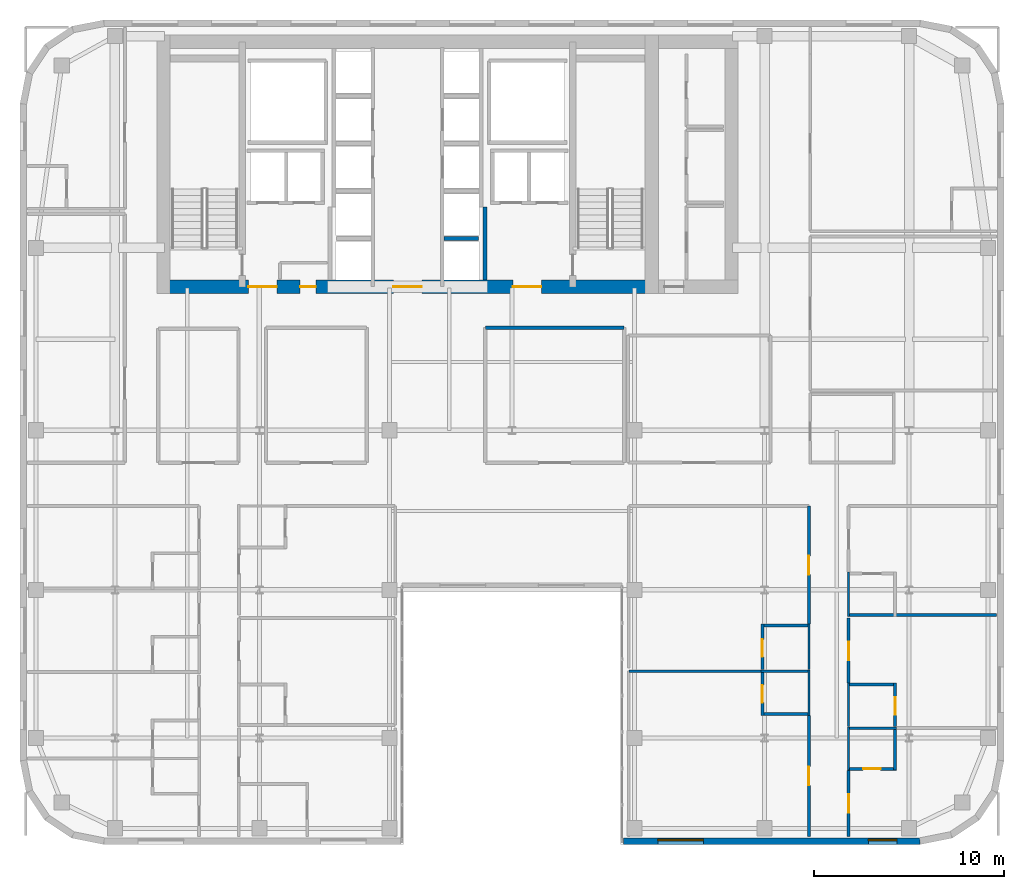
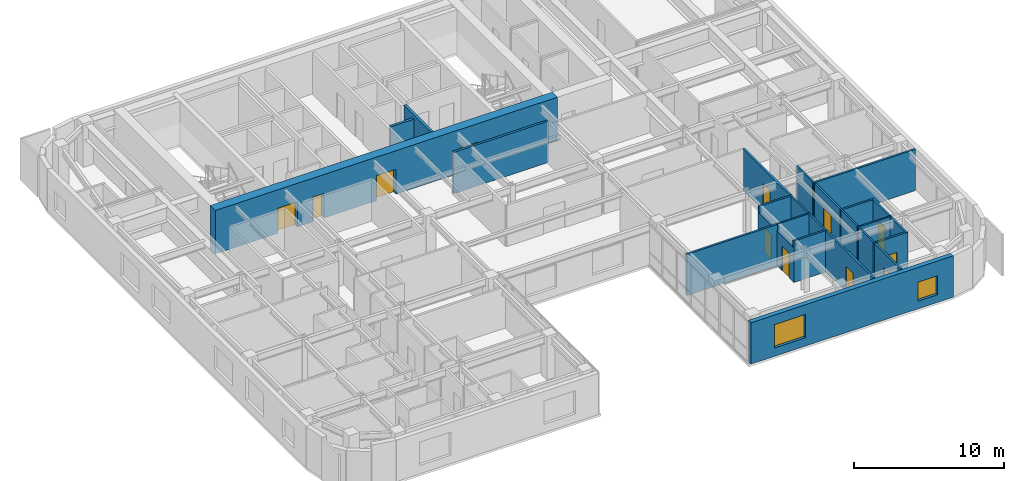
# One storey, part 9 of 14: 26 walls, 12 doors, 2 windows, 14 openings.
"""IFC4 building model written with IfcOpenShell, lengths in metres."""

from ifc_helpers import new_model, si_unit, direction, frame, frame_2d, origin, place, context, subcontext, project, spatial, rectangle, extrude, source, transform, mapped, material, layer, layer_set, type_object, type_shapes, element, fill, save


model = new_model("IFC4")

# Units and contexts
model_context = context("Model", 3, precision=1e-05, world=origin(), true_north=direction((0.0, 1.0)))
body_context = subcontext(model_context, "Body", "Model", "MODEL_VIEW")
ifc_project = project(units=[si_unit("LENGTHUNIT", "METRE"), si_unit("AREAUNIT", "SQUARE_METRE"), si_unit("VOLUMEUNIT", "CUBIC_METRE"), si_unit("PLANEANGLEUNIT", "RADIAN"), si_unit("MASSUNIT", "GRAM", prefix="KILO")], contexts=[model_context])

# Site, building, storey
site_placement = place(None, origin())
site = spatial("IfcSite", under=ifc_project, at=site_placement, CompositionType="ELEMENT")
building_placement = place(site_placement, origin())
building = spatial("IfcBuilding", under=site, at=building_placement, Name="Tolvann Quenvar Hotel", CompositionType="ELEMENT")
storey_placement = place(building_placement, frame((0.0, 0.0, 187.550048828125)))
storey = spatial("IfcBuildingStorey", under=building, at=storey_placement, Name="L49", CompositionType="ELEMENT", Elevation=187.550048828125)

# Wall, openings, doors
ifc_material_1 = material(Name="Concrete S65 (65 MPa)", Category="concrete")
ifc_layer_1 = layer(ifc_material_1, 0.699951171875)
ifc_layer_set_1 = layer_set([ifc_layer_1], Name="Concrete S65 (65 MPa)")
wall_type_1 = type_object("IfcWallType", Name="WALL_CORE_700", PredefinedType="SHEAR", material=ifc_layer_set_1)
wall_1_placement = place(storey_placement, frame((9.800048828125, 31.949951171875, 0.0), z_axis=(0.0, 0.0, 1.0), x_axis=(1.0, 0.0, 0.0)))
wall_1 = element("IfcWall", 1, at=wall_1_placement, inside=storey, type_object=wall_type_1, Name="Rear Core S Shear Wall (L49)", PredefinedType="SHEAR", context=body_context, shape_type="SweptSolid", body=[
    extrude(rectangle(XDim=26.39990234375, YDim=0.699951171875, at=frame_2d((13.199951171875, 0.0))), origin(), (0.0, 0.0, 1.0), 3.550048828125),
])
opening_1_placement = place(wall_1_placement, frame((6.320068359375, 0.0, 0.0), z_axis=(0.0, 0.0, 1.0), x_axis=(-1.0, 0.0, 0.0)))
opening_1 = element("IfcOpeningElement", 2, at=opening_1_placement, cuts=wall_1, Name="Opening FD-60D", PredefinedType="OPENING", context=body_context, shape_type="SweptSolid", body=[
    extrude(rectangle(XDim=1.5, YDim=2.0400390625, at=frame_2d((0.75, 1.02001953125))), frame((0.0, 0.35986328125, 0.0), z_axis=(0.0, -1.0, 0.0), x_axis=(1.0, 0.0, 0.0)), (0.0, 0.0, 1.0), 0.719970703125),
])
opening_2_placement = place(wall_1_placement, frame((13.949951171875, 0.0, 0.0), z_axis=(0.0, 0.0, 1.0), x_axis=(-1.0, 0.0, 0.0)))
opening_2 = element("IfcOpeningElement", 3, at=opening_2_placement, cuts=wall_1, Name="Opening FD-60D", PredefinedType="OPENING", context=body_context, shape_type="SweptSolid", body=[
    extrude(rectangle(XDim=1.5, YDim=2.0400390625, at=frame_2d((0.75, 1.02001953125))), frame((0.0, 0.35986328125, 0.0), z_axis=(0.0, -1.0, 0.0), x_axis=(1.0, 0.0, 0.0)), (0.0, 0.0, 1.0), 0.719970703125),
])
opening_3_placement = place(wall_1_placement, frame((20.25, 0.0, 0.0), z_axis=(0.0, 0.0, 1.0), x_axis=(-1.0, 0.0, 0.0)))
opening_3 = element("IfcOpeningElement", 4, at=opening_3_placement, cuts=wall_1, Name="Opening FD-60D", PredefinedType="OPENING", context=body_context, shape_type="SweptSolid", body=[
    extrude(rectangle(XDim=1.5, YDim=2.0400390625, at=frame_2d((0.75, 1.02001953125))), frame((0.0, 0.35986328125, 0.0), z_axis=(0.0, -1.0, 0.0), x_axis=(1.0, 0.0, 0.0)), (0.0, 0.0, 1.0), 0.719970703125),
])
opening_4_placement = place(wall_1_placement, frame((8.3701171875, 0.0, 0.0), z_axis=(0.0, 0.0, 1.0), x_axis=(-1.0, 0.0, 0.0)))
opening_4 = element("IfcOpeningElement", 5, at=opening_4_placement, cuts=wall_1, Name="Opening HD-02", PredefinedType="OPENING", context=body_context, shape_type="SweptSolid", body=[
    extrude(rectangle(XDim=0.820068359375, YDim=2.010009765625, at=frame_2d((0.41015625, 1.0048828125))), frame((0.0, 0.35986328125, 0.0), z_axis=(0.0, -1.0, 0.0), x_axis=(1.0, 0.0, 0.0)), (0.0, 0.0, 1.0), 0.719970703125),
])
ifc_material_2 = material(Name="Solid-core American oak acoustic fire door leaf in steel frame", Category="steel")
door_type_1 = type_object("IfcDoorType", Name="DOOR_FIRE_LOBBY_1500", OperationType="NOTDEFINED", PredefinedType="DOOR", material=ifc_material_2)
shared_shape_1 = source(origin(), body_context, "Body", "SweptSolid", [
    extrude(rectangle(XDim=1.5, YDim=2.0400390625, at=frame_2d((0.75, 1.02001953125))), frame((0.0, 0.02490234375, 0.0), z_axis=(0.0, -1.0, 0.0), x_axis=(1.0, 0.0, 0.0)), (0.0, 0.0, 1.0), 0.050048828125),
])
type_shapes(door_type_1, [shared_shape_1])
door_1_placement = place(opening_1_placement, origin())
door_1 = element("IfcDoor", 6, at=door_1_placement, inside=storey, type_object=door_type_1, Name="Core Lobby Fire Door FFW (L49)", OperationType="DOUBLE_DOOR_SINGLE_SWING", OverallHeight=2.0400390625, OverallWidth=1.5, PredefinedType="DOOR", context=body_context, shape_type="MappedRepresentation", body=[
    mapped(shared_shape_1, transform((0.0, 0.0, 0.0), x_axis=(1.0, 0.0, 0.0), y_axis=(0.0, 1.0, 0.0), z_axis=(0.0, 0.0, 1.0), scale=1.0)),
])
fill(opening_1, door_1)
door_2_placement = place(opening_2_placement, origin())
door_2 = element("IfcDoor", 7, at=door_2_placement, inside=storey, type_object=door_type_1, Name="Core Lobby Fire Door CLOB (L49)", OperationType="DOUBLE_DOOR_SINGLE_SWING", OverallHeight=2.0400390625, OverallWidth=1.5, PredefinedType="DOOR", context=body_context, shape_type="MappedRepresentation", body=[
    mapped(shared_shape_1, transform((0.0, 0.0, 0.0), x_axis=(1.0, 0.0, 0.0), y_axis=(0.0, 1.0, 0.0), z_axis=(0.0, 0.0, 1.0), scale=1.0)),
])
fill(opening_2, door_2)
door_3_placement = place(opening_3_placement, origin())
door_3 = element("IfcDoor", 8, at=door_3_placement, inside=storey, type_object=door_type_1, Name="Core Lobby Fire Door FFE (L49)", OperationType="DOUBLE_DOOR_SINGLE_SWING", OverallHeight=2.0400390625, OverallWidth=1.5, PredefinedType="DOOR", context=body_context, shape_type="MappedRepresentation", body=[
    mapped(shared_shape_1, transform((0.0, 0.0, 0.0), x_axis=(1.0, 0.0, 0.0), y_axis=(0.0, 1.0, 0.0), z_axis=(0.0, 0.0, 1.0), scale=1.0)),
])
fill(opening_3, door_3)
ifc_material_3 = material(Name="Pressed galvanised steel fire-rated door set", Category="steel")
door_type_2 = type_object("IfcDoorType", Name="DOOR_STORE_820", OperationType="NOTDEFINED", PredefinedType="DOOR", material=ifc_material_3)
shared_shape_2 = source(origin(), body_context, "Body", "SweptSolid", [
    extrude(rectangle(XDim=0.820068359375, YDim=2.010009765625, at=frame_2d((0.41015625, 1.0048828125))), frame((0.0, 0.02490234375, 0.0), z_axis=(0.0, -1.0, 0.0), x_axis=(1.0, 0.0, 0.0)), (0.0, 0.0, 1.0), 0.050048828125),
])
type_shapes(door_type_2, [shared_shape_2])
door_4_placement = place(opening_4_placement, origin())
door_4 = element("IfcDoor", 9, at=door_4_placement, inside=storey, type_object=door_type_2, Name="Core Linen Store Fire Door (L49)", OperationType="SINGLE_SWING_RIGHT", OverallHeight=2.010009765625, OverallWidth=0.820068359375, PredefinedType="DOOR", context=body_context, shape_type="MappedRepresentation", body=[
    mapped(shared_shape_2, transform((0.0, 0.0, 0.0), x_axis=(1.0, 0.0, 0.0), y_axis=(0.0, 1.0, 0.0), z_axis=(0.0, 0.0, 1.0), scale=1.0)),
])
fill(opening_4, door_4)

# Wall, openings, windows
ifc_material_4 = material(Name="Kiln-fired red and buff architectural clay brickwork and terracotta masonry", Category="masonry")
ifc_layer_2 = layer(ifc_material_4, 0.35009765625)
ifc_layer_set_2 = layer_set([ifc_layer_2], Name="Kiln-fired red and buff architectural clay brickwork and terracotta masonry")
wall_type_2 = type_object("IfcWallType", Name="WALL_EXT_BRICK_350", PredefinedType="SOLIDWALL", material=ifc_layer_set_2)
wall_2_placement = place(storey_placement, frame((34.375, 2.77490234375, 0.0), z_axis=(0.0, 0.0, 1.0), x_axis=(1.0, 0.0, 0.0)))
wall_2 = element("IfcWall", 10, at=wall_2_placement, inside=storey, type_object=wall_type_2, Name="Exterior Chicago Brick Wall L49-E08", PredefinedType="SOLIDWALL", context=body_context, shape_type="SweptSolid", body=[
    extrude(rectangle(XDim=15.60791015625, YDim=0.35009765625, at=frame_2d((7.803955078125, 0.0))), origin(), (0.0, 0.0, 1.0), 3.369873046875),
])
opening_5_placement = place(wall_2_placement, frame((1.801025390625, 0.0, 0.679931640625)))
opening_5 = element("IfcOpeningElement", 11, at=opening_5_placement, cuts=wall_2, Name="Opening W-01", PredefinedType="OPENING", context=body_context, shape_type="SweptSolid", body=[
    extrude(rectangle(XDim=2.39990234375, YDim=1.89990234375, at=frame_2d((1.199951171875, 0.949951171875))), frame((0.0, 0.18505859375, 0.0), z_axis=(0.0, -1.0, 0.0), x_axis=(1.0, 0.0, 0.0)), (0.0, 0.0, 1.0), 0.3701171875),
])
opening_6_placement = place(wall_2_placement, frame((12.89111328125, 0.0, 0.6201171875)))
opening_6 = element("IfcOpeningElement", 12, at=opening_6_placement, cuts=wall_2, Name="Opening W-08", PredefinedType="OPENING", context=body_context, shape_type="SweptSolid", body=[
    extrude(rectangle(XDim=1.5, YDim=1.550048828125, at=frame_2d((0.75, 0.77490234375))), frame((0.0, 0.18505859375, 0.0), z_axis=(0.0, -1.0, 0.0), x_axis=(1.0, 0.0, 0.0)), (0.0, 0.0, 1.0), 0.3701171875),
])
ifc_material_5 = material(Name="Thermally broken bronze-anodised aluminium frame with double low-E glazing", Category="aluminium")
window_type_1 = type_object("IfcWindowType", Name="WIN_COR_1500x2050", PartitioningType="SINGLE_PANEL", PredefinedType="WINDOW", material=ifc_material_5)
shared_shape_3 = source(origin(), body_context, "Body", "SweptSolid", [
    extrude(rectangle(XDim=1.5, YDim=1.550048828125, at=frame_2d((0.75, 0.77490234375))), frame((0.0, 0.090087890625, 0.0), z_axis=(0.0, -1.0, 0.0), x_axis=(1.0, 0.0, 0.0)), (0.0, 0.0, 1.0), 0.06005859375),
])
type_shapes(window_type_1, [shared_shape_3])
window_1_placement = place(opening_6_placement, origin())
window_1 = element("IfcWindow", 13, at=window_1_placement, inside=storey, type_object=window_type_1, Name="Chicago Window W-08 (EW-L49-E08-WD02)", OverallHeight=1.550048828125, OverallWidth=1.5, PartitioningType="SINGLE_PANEL", PredefinedType="WINDOW", context=body_context, shape_type="MappedRepresentation", body=[
    mapped(shared_shape_3, transform((0.0, 0.0, 0.0), x_axis=(1.0, 0.0, 0.0), y_axis=(0.0, 1.0, 0.0), z_axis=(0.0, 0.0, 1.0), scale=1.0)),
])
fill(opening_6, window_1)
window_type_2 = type_object("IfcWindowType", Name="WIN_CHI_2400x2050", PartitioningType="TRIPLE_PANEL_HORIZONTAL", PredefinedType="WINDOW", material=ifc_material_5)
shared_shape_4 = source(origin(), body_context, "Body", "SweptSolid", [
    extrude(rectangle(XDim=2.39990234375, YDim=1.89990234375, at=frame_2d((1.199951171875, 0.949951171875))), frame((0.0, 0.090087890625, 0.0), z_axis=(0.0, -1.0, 0.0), x_axis=(1.0, 0.0, 0.0)), (0.0, 0.0, 1.0), 0.06005859375),
])
type_shapes(window_type_2, [shared_shape_4])
window_2_placement = place(opening_5_placement, origin())
window_2 = element("IfcWindow", 14, at=window_2_placement, inside=storey, type_object=window_type_2, Name="Chicago Window W-01 (EW-L49-E08-W01)", OverallHeight=1.89990234375, OverallWidth=2.39990234375, PartitioningType="TRIPLE_PANEL_HORIZONTAL", PredefinedType="WINDOW", context=body_context, shape_type="MappedRepresentation", body=[
    mapped(shared_shape_4, transform((0.0, 0.0, 0.0), x_axis=(1.0, 0.0, 0.0), y_axis=(0.0, 1.0, 0.0), z_axis=(0.0, 0.0, 1.0), scale=1.0)),
])
fill(opening_5, window_2)

# Walls
ifc_material_6 = material(Name="Acoustic twin-stud fire-rated gypsum plasterboard partition")
ifc_layer_3 = layer(ifc_material_6, 0.179931640625)
ifc_layer_set_3 = layer_set([ifc_layer_3], Name="Acoustic twin-stud fire-rated gypsum plasterboard partition")
wall_type_3 = type_object("IfcWallType", Name="WALL_PART_ACOUSTIC_180", PredefinedType="PARTITIONING", material=ifc_layer_set_3)
wall_3_placement = place(storey_placement, frame((27.10009765625, 29.800048828125, 0.0), z_axis=(0.0, 0.0, 1.0), x_axis=(1.0, 0.0, 0.0)))
element("IfcWall", 15, at=wall_3_placement, inside=storey, type_object=wall_type_3, Name="Interior Partition PT-SPC-L49-MSP-C-N", PredefinedType="PARTITIONING", context=body_context, shape_type="SweptSolid", body=[
    extrude(rectangle(XDim=7.2998046875, YDim=0.179931640625, at=frame_2d((3.64990234375, 0.0))), origin(), (0.0, 0.0, 1.0), 3.369873046875),
])
ifc_material_7 = material(Name="Moisture-resistant acoustic plumbing wall assembly")
ifc_layer_4 = layer(ifc_material_7, 0.1201171875)
ifc_layer_set_4 = layer_set([ifc_layer_4], Name="Moisture-resistant acoustic plumbing wall assembly")
wall_type_4 = type_object("IfcWallType", Name="WALL_PART_BATH_120", PredefinedType="PLUMBINGWALL", material=ifc_layer_set_4)
wall_4_placement = place(storey_placement, frame((41.610107421875, 11.719970703125, 0.0), z_axis=(0.0, 0.0, 1.0), x_axis=(1.0, 0.0, 0.0)))
element("IfcWall", 16, at=wall_4_placement, inside=storey, type_object=wall_type_4, Name="Non-Rated Plumbing Partition PT-SPC-L49-ENS-EI01-N", PredefinedType="PLUMBINGWALL", context=body_context, shape_type="SweptSolid", body=[
    extrude(rectangle(XDim=2.58984375, YDim=0.1201171875, at=frame_2d((1.294921875, 0.0))), origin(), (0.0, 0.0, 1.0), 3.369873046875),
])
wall_5_placement = place(storey_placement, frame((44.1298828125, 9.39990234375, 0.0), z_axis=(0.0, 0.0, 1.0), x_axis=(0.0, 1.0, 0.0)))
element("IfcWall", 17, at=wall_5_placement, inside=storey, type_object=wall_type_4, Name="Non-Rated Plumbing Partition PT-SPC-L49-ENS-EI01-E", PredefinedType="PLUMBINGWALL", context=body_context, shape_type="SweptSolid", body=[
    extrude(rectangle(XDim=2.39013671875, YDim=0.1201171875, at=frame_2d((1.195068359375, 0.0))), origin(), (0.0, 0.0, 1.0), 3.369873046875),
])
wall_6_placement = place(storey_placement, frame((44.1298828125, 11.81005859375, 0.0), z_axis=(0.0, 0.0, 1.0), x_axis=(0.0, 1.0, 0.0)))
element("IfcWall", 18, at=wall_6_placement, inside=storey, type_object=wall_type_4, Name="Non-Rated Plumbing Partition PT-SPC-L49-ENS-EI02-E", PredefinedType="PLUMBINGWALL", context=body_context, shape_type="SweptSolid", body=[
    extrude(rectangle(XDim=2.389892578125, YDim=0.1201171875, at=frame_2d((1.19482421875, 0.0))), origin(), (0.0, 0.0, 1.0), 3.369873046875),
])
wall_7_placement = place(storey_placement, frame((46.14990234375, 8.719970703125, 0.0), z_axis=(0.0, 0.0, 1.0), x_axis=(1.0, 0.0, 0.0)))
element("IfcWall", 19, at=wall_7_placement, inside=storey, type_object=wall_type_4, Name="Non-Rated Plumbing Partition PT-SPC-L49-ENS-EO01-N", PredefinedType="PLUMBINGWALL", context=body_context, shape_type="SweptSolid", body=[
    extrude(rectangle(XDim=2.590087890625, YDim=0.1201171875, at=frame_2d((1.294921875, 0.0))), origin(), (0.0, 0.0, 1.0), 3.369873046875),
])
for number, where, z_axis, x_axis, name in (
    (20, (46.219970703125, 6.507080078125, 0.0), (0.0, 0.0, 1.0), (0.0, 1.0, 0.0), "Non-Rated Plumbing Partition PT-SPC-L49-ENS-EO01-W"),
    (21, (46.219970703125, 8.81005859375, 0.0), (0.0, 0.0, 1.0), (0.0, 1.0, 0.0), "Non-Rated Plumbing Partition PT-SPC-L49-ENS-EO02-W"),
):
    element("IfcWall", number, at=place(storey_placement, frame(where, z_axis=z_axis, x_axis=x_axis)), inside=storey, type_object=wall_type_4, Name=name, PredefinedType="PLUMBINGWALL", context=body_context, shape_type="SweptSolid", body=[
        extrude(rectangle(XDim=2.282958984375, YDim=0.1201171875, at=frame_2d((1.1416015625, 0.0))), origin(), (0.0, 0.0, 1.0), 3.369873046875),
    ])
wall_8_placement = place(storey_placement, frame((46.219970703125, 14.610107421875, 0.0), z_axis=(0.0, 0.0, 1.0), x_axis=(0.0, 1.0, 0.0)))
element("IfcWall", 22, at=wall_8_placement, inside=storey, type_object=wall_type_4, Name="Non-Rated Plumbing Partition PT-SPC-L49-ENS-EO03-W", PredefinedType="PLUMBINGWALL", context=body_context, shape_type="SweptSolid", body=[
    extrude(rectangle(XDim=2.32080078125, YDim=0.1201171875, at=frame_2d((1.160400390625, 0.0))), origin(), (0.0, 0.0, 1.0), 3.369873046875),
])

# Wall, opening, door
ifc_layer_5 = layer(ifc_material_6, 0.14990234375)
ifc_layer_set_5 = layer_set([ifc_layer_5], Name="Acoustic twin-stud fire-rated gypsum plasterboard partition")
wall_type_5 = type_object("IfcWallType", Name="WALL_PART_SUITE_150", PredefinedType="PARTITIONING", material=ifc_layer_set_5)
wall_9_placement = place(storey_placement, frame((41.679931640625, 9.39990234375, 0.0), z_axis=(0.0, 0.0, 1.0), x_axis=(0.0, 1.0, 0.0)))
wall_9 = element("IfcWall", 23, at=wall_9_placement, inside=storey, type_object=wall_type_5, Name="Interior Partition PT-SPC-L49-ENS-EI01-ENT", PredefinedType="PARTITIONING", context=body_context, shape_type="SweptSolid", body=[
    extrude(rectangle(XDim=2.39013671875, YDim=0.14990234375, at=frame_2d((1.195068359375, 0.0))), origin(), (0.0, 0.0, 1.0), 2.826904296875),
])
opening_7_placement = place(wall_9_placement, frame((0.6650390625, 0.0, 0.0)))
opening_7 = element("IfcOpeningElement", 24, at=opening_7_placement, cuts=wall_9, Name="Opening WD-01", PredefinedType="OPENING", context=body_context, shape_type="SweptSolid", body=[
    extrude(rectangle(XDim=0.919921875, YDim=2.010009765625, at=frame_2d((0.4599609375, 1.0048828125))), frame((0.0, 0.0849609375, 0.0), z_axis=(0.0, -1.0, 0.0), x_axis=(1.0, 0.0, 0.0)), (0.0, 0.0, 1.0), 0.169921875),
])
door_type_3 = type_object("IfcDoorType", Name="DOOR_WC_920", OperationType="NOTDEFINED", PredefinedType="DOOR", material=ifc_material_2)
shared_shape_5 = source(origin(), body_context, "Body", "SweptSolid", [
    extrude(rectangle(XDim=0.919921875, YDim=2.010009765625, at=frame_2d((0.4599609375, 1.0048828125))), frame((0.0, 0.02490234375, 0.0), z_axis=(0.0, -1.0, 0.0), x_axis=(1.0, 0.0, 0.0)), (0.0, 0.0, 1.0), 0.050048828125),
])
type_shapes(door_type_3, [shared_shape_5])
door_5_placement = place(opening_7_placement, origin())
door_5 = element("IfcDoor", 25, at=door_5_placement, inside=storey, type_object=door_type_3, Name="Interior Door DOOR-SPC-L49-ENS-EI01", OperationType="SINGLE_SWING_RIGHT", OverallHeight=2.010009765625, OverallWidth=0.919921875, PredefinedType="DOOR", context=body_context, shape_type="MappedRepresentation", body=[
    mapped(shared_shape_5, transform((0.0, 0.0, 0.0), x_axis=(1.0, 0.0, 0.0), y_axis=(0.0, 1.0, 0.0), z_axis=(0.0, 0.0, 1.0), scale=1.0)),
])
fill(opening_7, door_5)

# Wall
wall_10_placement = place(storey_placement, frame((41.610107421875, 9.469970703125, 0.0), z_axis=(0.0, 0.0, 1.0), x_axis=(1.0, 0.0, 0.0)))
element("IfcWall", 26, at=wall_10_placement, inside=storey, type_object=wall_type_5, Name="Interior Partition PT-SPC-L49-ENS-EI01-S", PredefinedType="PARTITIONING", context=body_context, shape_type="SweptSolid", body=[
    extrude(rectangle(XDim=2.58984375, YDim=0.14990234375, at=frame_2d((1.294921875, 0.0))), origin(), (0.0, 0.0, 1.0), 3.369873046875),
])

# Wall, opening, door
wall_11_placement = place(storey_placement, frame((41.679931640625, 11.81005859375, 0.0), z_axis=(0.0, 0.0, 1.0), x_axis=(0.0, 1.0, 0.0)))
wall_11 = element("IfcWall", 27, at=wall_11_placement, inside=storey, type_object=wall_type_5, Name="Interior Partition PT-SPC-L49-ENS-EI02-ENT", PredefinedType="PARTITIONING", context=body_context, shape_type="SweptSolid", body=[
    extrude(rectangle(XDim=2.389892578125, YDim=0.14990234375, at=frame_2d((1.19482421875, 0.0))), origin(), (0.0, 0.0, 1.0), 2.826904296875),
])
opening_8_placement = place(wall_11_placement, frame((0.6650390625, 0.0, 0.0)))
opening_8 = element("IfcOpeningElement", 28, at=opening_8_placement, cuts=wall_11, Name="Opening WD-01", PredefinedType="OPENING", context=body_context, shape_type="SweptSolid", body=[
    extrude(rectangle(XDim=0.919921875, YDim=2.010009765625, at=frame_2d((0.4599609375, 1.0048828125))), frame((0.0, 0.0849609375, 0.0), z_axis=(0.0, -1.0, 0.0), x_axis=(1.0, 0.0, 0.0)), (0.0, 0.0, 1.0), 0.169921875),
])
door_6_placement = place(opening_8_placement, origin())
door_6 = element("IfcDoor", 29, at=door_6_placement, inside=storey, type_object=door_type_3, Name="Interior Door DOOR-SPC-L49-ENS-EI02", OperationType="SINGLE_SWING_LEFT", OverallHeight=2.010009765625, OverallWidth=0.919921875, PredefinedType="DOOR", context=body_context, shape_type="MappedRepresentation", body=[
    mapped(shared_shape_5, transform((0.0, 0.0, 0.0), x_axis=(1.0, 0.0, 0.0), y_axis=(0.0, 1.0, 0.0), z_axis=(0.0, 0.0, 1.0), scale=1.0)),
])
fill(opening_8, door_6)

# Walls
wall_12_placement = place(storey_placement, frame((41.610107421875, 14.1298828125, 0.0), z_axis=(0.0, 0.0, 1.0), x_axis=(1.0, 0.0, 0.0)))
element("IfcWall", 30, at=wall_12_placement, inside=storey, type_object=wall_type_5, Name="Interior Partition PT-SPC-L49-ENS-EI02-N", PredefinedType="PARTITIONING", context=body_context, shape_type="SweptSolid", body=[
    extrude(rectangle(XDim=2.58984375, YDim=0.14990234375, at=frame_2d((1.294921875, 0.0))), origin(), (0.0, 0.0, 1.0), 3.369873046875),
])
wall_13_placement = place(storey_placement, frame((48.669921875, 6.507080078125, 0.0), z_axis=(0.0, 0.0, 1.0), x_axis=(0.0, 1.0, 0.0)))
element("IfcWall", 31, at=wall_13_placement, inside=storey, type_object=wall_type_5, Name="Interior Partition PT-SPC-L49-ENS-EO01-ENT", PredefinedType="PARTITIONING", context=body_context, shape_type="SweptSolid", body=[
    extrude(rectangle(XDim=2.282958984375, YDim=0.14990234375, at=frame_2d((1.1416015625, 0.0))), origin(), (0.0, 0.0, 1.0), 3.369873046875),
])

# Wall, opening, door
wall_14_placement = place(storey_placement, frame((46.14990234375, 6.576904296875, 0.0), z_axis=(0.0, 0.0, 1.0), x_axis=(1.0, 0.0, 0.0)))
wall_14 = element("IfcWall", 32, at=wall_14_placement, inside=storey, type_object=wall_type_5, Name="Interior Partition PT-SPC-L49-ENS-EO01-S", PredefinedType="PARTITIONING", context=body_context, shape_type="SweptSolid", body=[
    extrude(rectangle(XDim=2.590087890625, YDim=0.14990234375, at=frame_2d((1.294921875, 0.0))), origin(), (0.0, 0.0, 1.0), 3.369873046875),
])
opening_9_placement = place(wall_14_placement, frame((0.8349609375, 0.0, 0.0)))
opening_9 = element("IfcOpeningElement", 33, at=opening_9_placement, cuts=wall_14, Name="Opening WD-01", PredefinedType="OPENING", context=body_context, shape_type="SweptSolid", body=[
    extrude(rectangle(XDim=0.919921875, YDim=2.010009765625, at=frame_2d((0.4599609375, 1.0048828125))), frame((0.0, 0.0849609375, 0.0), z_axis=(0.0, -1.0, 0.0), x_axis=(1.0, 0.0, 0.0)), (0.0, 0.0, 1.0), 0.169921875),
])
door_7_placement = place(opening_9_placement, origin())
door_7 = element("IfcDoor", 34, at=door_7_placement, inside=storey, type_object=door_type_3, Name="Interior Door DOOR-SPC-L49-ENS-EO01", OperationType="SINGLE_SWING_RIGHT", OverallHeight=2.010009765625, OverallWidth=0.919921875, PredefinedType="DOOR", context=body_context, shape_type="MappedRepresentation", body=[
    mapped(shared_shape_5, transform((0.0, 0.0, 0.0), x_axis=(1.0, 0.0, 0.0), y_axis=(0.0, 1.0, 0.0), z_axis=(0.0, 0.0, 1.0), scale=1.0)),
])
fill(opening_9, door_7)

wall_15_placement = place(storey_placement, frame((48.669921875, 8.81005859375, 0.0), z_axis=(0.0, 0.0, 1.0), x_axis=(0.0, 1.0, 0.0)))
wall_15 = element("IfcWall", 35, at=wall_15_placement, inside=storey, type_object=wall_type_5, Name="Interior Partition PT-SPC-L49-ENS-EO02-ENT", PredefinedType="PARTITIONING", context=body_context, shape_type="SweptSolid", body=[
    extrude(rectangle(XDim=2.282958984375, YDim=0.14990234375, at=frame_2d((1.1416015625, 0.0))), origin(), (0.0, 0.0, 1.0), 3.369873046875),
])
opening_10_placement = place(wall_15_placement, frame((0.611572265625, 0.0, 0.0)))
opening_10 = element("IfcOpeningElement", 36, at=opening_10_placement, cuts=wall_15, Name="Opening WD-01", PredefinedType="OPENING", context=body_context, shape_type="SweptSolid", body=[
    extrude(rectangle(XDim=0.919921875, YDim=2.010009765625, at=frame_2d((0.4599609375, 1.0048828125))), frame((0.0, 0.0849609375, 0.0), z_axis=(0.0, -1.0, 0.0), x_axis=(1.0, 0.0, 0.0)), (0.0, 0.0, 1.0), 0.169921875),
])
door_8_placement = place(opening_10_placement, origin())
door_8 = element("IfcDoor", 37, at=door_8_placement, inside=storey, type_object=door_type_3, Name="Interior Door DOOR-SPC-L49-ENS-EO02", OperationType="SINGLE_SWING_LEFT", OverallHeight=2.010009765625, OverallWidth=0.919921875, PredefinedType="DOOR", context=body_context, shape_type="MappedRepresentation", body=[
    mapped(shared_shape_5, transform((0.0, 0.0, 0.0), x_axis=(1.0, 0.0, 0.0), y_axis=(0.0, 1.0, 0.0), z_axis=(0.0, 0.0, 1.0), scale=1.0)),
])
fill(opening_10, door_8)

# Walls
wall_16_placement = place(storey_placement, frame((46.14990234375, 11.02294921875, 0.0), z_axis=(0.0, 0.0, 1.0), x_axis=(1.0, 0.0, 0.0)))
element("IfcWall", 38, at=wall_16_placement, inside=storey, type_object=wall_type_5, Name="Interior Partition PT-SPC-L49-ENS-EO02-N", PredefinedType="PARTITIONING", context=body_context, shape_type="SweptSolid", body=[
    extrude(rectangle(XDim=2.590087890625, YDim=0.14990234375, at=frame_2d((1.294921875, 0.0))), origin(), (0.0, 0.0, 1.0), 3.369873046875),
])
wall_17_placement = place(storey_placement, frame((46.14990234375, 14.679931640625, 0.0), z_axis=(0.0, 0.0, 1.0), x_axis=(1.0, 0.0, 0.0)))
element("IfcWall", 39, at=wall_17_placement, inside=storey, type_object=wall_type_5, Name="Interior Partition PT-SPC-L49-ENS-EO03-S", PredefinedType="PARTITIONING", context=body_context, shape_type="SweptSolid", body=[
    extrude(rectangle(XDim=7.84521484375, YDim=0.14990234375, at=frame_2d((3.922607421875, 0.0))), origin(), (0.0, 0.0, 1.0), 3.369873046875),
])

# Wall, opening, door
wall_18_placement = place(storey_placement, frame((44.1298828125, 3.0048828125, 0.0), z_axis=(0.0, 0.0, 1.0), x_axis=(0.0, 1.0, 0.0)))
wall_18 = element("IfcWall", 40, at=wall_18_placement, inside=storey, type_object=wall_type_5, Name="Interior Partition PT-SPC-L49-RM-EI01-ENT", PredefinedType="PARTITIONING", context=body_context, shape_type="SweptSolid", body=[
    extrude(rectangle(XDim=6.385009765625, YDim=0.14990234375, at=frame_2d((3.1923828125, 0.0))), origin(), (0.0, 0.0, 1.0), 3.369873046875),
])
opening_11_placement = place(wall_18_placement, frame((2.7099609375, 0.0, 0.0)))
opening_11 = element("IfcOpeningElement", 41, at=opening_11_placement, cuts=wall_18, Name="Opening SD-01", PredefinedType="OPENING", context=body_context, shape_type="SweptSolid", body=[
    extrude(rectangle(XDim=0.97998046875, YDim=2.1201171875, at=frame_2d((0.489990234375, 1.06005859375))), frame((0.0, 0.0849609375, 0.0), z_axis=(0.0, -1.0, 0.0), x_axis=(1.0, 0.0, 0.0)), (0.0, 0.0, 1.0), 0.169921875),
])
door_type_4 = type_object("IfcDoorType", Name="DOOR_SUITE_980", OperationType="NOTDEFINED", PredefinedType="DOOR", material=ifc_material_2)
shared_shape_6 = source(origin(), body_context, "Body", "SweptSolid", [
    extrude(rectangle(XDim=0.97998046875, YDim=2.1201171875, at=frame_2d((0.489990234375, 1.06005859375))), frame((0.0, 0.02490234375, 0.0), z_axis=(0.0, -1.0, 0.0), x_axis=(1.0, 0.0, 0.0)), (0.0, 0.0, 1.0), 0.050048828125),
])
type_shapes(door_type_4, [shared_shape_6])
door_9_placement = place(opening_11_placement, origin())
door_9 = element("IfcDoor", 42, at=door_9_placement, inside=storey, type_object=door_type_4, Name="Interior Door DOOR-SPC-L49-RM-EI01", OperationType="SINGLE_SWING_LEFT", OverallHeight=2.1201171875, OverallWidth=0.97998046875, PredefinedType="DOOR", context=body_context, shape_type="MappedRepresentation", body=[
    mapped(shared_shape_6, transform((0.0, 0.0, 0.0), x_axis=(1.0, 0.0, 0.0), y_axis=(0.0, 1.0, 0.0), z_axis=(0.0, 0.0, 1.0), scale=1.0)),
])
fill(opening_11, door_9)

# Wall
wall_19_placement = place(storey_placement, frame((34.64990234375, 11.719970703125, 0.0), z_axis=(0.0, 0.0, 1.0), x_axis=(1.0, 0.0, 0.0)))
element("IfcWall", 43, at=wall_19_placement, inside=storey, type_object=wall_type_5, Name="Interior Partition PT-SPC-L49-RM-EI01-E5", PredefinedType="PARTITIONING", context=body_context, shape_type="SweptSolid", body=[
    extrude(rectangle(XDim=7.010009765625, YDim=0.14990234375, at=frame_2d((3.5048828125, 0.0))), origin(), (0.0, 0.0, 1.0), 3.369873046875),
])

# Wall, opening, door
wall_20_placement = place(storey_placement, frame((44.1298828125, 14.2099609375, 0.0), z_axis=(0.0, 0.0, 1.0), x_axis=(0.0, 1.0, 0.0)))
wall_20 = element("IfcWall", 44, at=wall_20_placement, inside=storey, type_object=wall_type_5, Name="Interior Partition PT-SPC-L49-RM-EI02-ENT", PredefinedType="PARTITIONING", context=body_context, shape_type="SweptSolid", body=[
    extrude(rectangle(XDim=6.2099609375, YDim=0.14990234375, at=frame_2d((3.10498046875, 0.0))), origin(), (0.0, 0.0, 1.0), 3.369873046875),
])
opening_12_placement = place(wall_20_placement, frame((2.594970703125, 0.0, 0.0)))
opening_12 = element("IfcOpeningElement", 45, at=opening_12_placement, cuts=wall_20, Name="Opening SD-01", PredefinedType="OPENING", context=body_context, shape_type="SweptSolid", body=[
    extrude(rectangle(XDim=0.97998046875, YDim=2.1201171875, at=frame_2d((0.489990234375, 1.06005859375))), frame((0.0, 0.0849609375, 0.0), z_axis=(0.0, -1.0, 0.0), x_axis=(1.0, 0.0, 0.0)), (0.0, 0.0, 1.0), 0.169921875),
])
door_10_placement = place(opening_12_placement, origin())
door_10 = element("IfcDoor", 46, at=door_10_placement, inside=storey, type_object=door_type_4, Name="Interior Door DOOR-SPC-L49-RM-EI02", OperationType="SINGLE_SWING_RIGHT", OverallHeight=2.1201171875, OverallWidth=0.97998046875, PredefinedType="DOOR", context=body_context, shape_type="MappedRepresentation", body=[
    mapped(shared_shape_6, transform((0.0, 0.0, 0.0), x_axis=(1.0, 0.0, 0.0), y_axis=(0.0, 1.0, 0.0), z_axis=(0.0, 0.0, 1.0), scale=1.0)),
])
fill(opening_12, door_10)

wall_21_placement = place(storey_placement, frame((46.219970703125, 3.0048828125, 0.0), z_axis=(0.0, 0.0, 1.0), x_axis=(0.0, 1.0, 0.0)))
wall_21 = element("IfcWall", 47, at=wall_21_placement, inside=storey, type_object=wall_type_5, Name="Interior Partition PT-SPC-L49-RM-EO01-ENT", PredefinedType="PARTITIONING", context=body_context, shape_type="SweptSolid", body=[
    extrude(rectangle(XDim=3.4921875, YDim=0.14990234375, at=frame_2d((1.74609375, 0.0))), origin(), (0.0, 0.0, 1.0), 3.369873046875),
])
opening_13_placement = place(wall_21_placement, frame((1.263427734375, 0.0, 0.0)))
opening_13 = element("IfcOpeningElement", 48, at=opening_13_placement, cuts=wall_21, Name="Opening SD-01", PredefinedType="OPENING", context=body_context, shape_type="SweptSolid", body=[
    extrude(rectangle(XDim=0.97998046875, YDim=2.1201171875, at=frame_2d((0.489990234375, 1.06005859375))), frame((0.0, 0.0849609375, 0.0), z_axis=(0.0, -1.0, 0.0), x_axis=(1.0, 0.0, 0.0)), (0.0, 0.0, 1.0), 0.169921875),
])
door_11_placement = place(opening_13_placement, origin())
door_11 = element("IfcDoor", 49, at=door_11_placement, inside=storey, type_object=door_type_4, Name="Interior Door DOOR-SPC-L49-RM-EO01", OperationType="SINGLE_SWING_LEFT", OverallHeight=2.1201171875, OverallWidth=0.97998046875, PredefinedType="DOOR", context=body_context, shape_type="MappedRepresentation", body=[
    mapped(shared_shape_6, transform((0.0, 0.0, 0.0), x_axis=(1.0, 0.0, 0.0), y_axis=(0.0, 1.0, 0.0), z_axis=(0.0, 0.0, 1.0), scale=1.0)),
])
fill(opening_13, door_11)

wall_22_placement = place(storey_placement, frame((46.219970703125, 11.10302734375, 0.0), z_axis=(0.0, 0.0, 1.0), x_axis=(0.0, 1.0, 0.0)))
wall_22 = element("IfcWall", 50, at=wall_22_placement, inside=storey, type_object=wall_type_5, Name="Interior Partition PT-SPC-L49-RM-EO02-ENT", PredefinedType="PARTITIONING", context=body_context, shape_type="SweptSolid", body=[
    extrude(rectangle(XDim=3.4169921875, YDim=0.14990234375, at=frame_2d((1.70849609375, 0.0))), origin(), (0.0, 0.0, 1.0), 3.369873046875),
])
opening_14_placement = place(wall_22_placement, frame((1.198486328125, 0.0, 0.0)))
opening_14 = element("IfcOpeningElement", 51, at=opening_14_placement, cuts=wall_22, Name="Opening SD-01", PredefinedType="OPENING", context=body_context, shape_type="SweptSolid", body=[
    extrude(rectangle(XDim=0.97998046875, YDim=2.1201171875, at=frame_2d((0.489990234375, 1.06005859375))), frame((0.0, 0.0849609375, 0.0), z_axis=(0.0, -1.0, 0.0), x_axis=(1.0, 0.0, 0.0)), (0.0, 0.0, 1.0), 0.169921875),
])
door_12_placement = place(opening_14_placement, origin())
door_12 = element("IfcDoor", 52, at=door_12_placement, inside=storey, type_object=door_type_4, Name="Interior Door DOOR-SPC-L49-RM-EO02", OperationType="SINGLE_SWING_RIGHT", OverallHeight=2.1201171875, OverallWidth=0.97998046875, PredefinedType="DOOR", context=body_context, shape_type="MappedRepresentation", body=[
    mapped(shared_shape_6, transform((0.0, 0.0, 0.0), x_axis=(1.0, 0.0, 0.0), y_axis=(0.0, 1.0, 0.0), z_axis=(0.0, 0.0, 1.0), scale=1.0)),
])
fill(opening_14, door_12)

# Walls
ifc_material_8 = material(Name="Concrete N40 (40 MPa)", Category="concrete")
ifc_layer_6 = layer(ifc_material_8, 0.199951171875)
ifc_layer_set_6 = layer_set([ifc_layer_6], Name="Concrete N40 (40 MPa)")
wall_type_6 = type_object("IfcWallType", Name="WALL_SHAFT_200", PredefinedType="SOLIDWALL", material=ifc_layer_set_6)
wall_23_placement = place(storey_placement, frame((27.080078125, 32.303955078125, 0.0), z_axis=(0.0, 0.0, 1.0), x_axis=(0.0, 1.0, 0.0)))
element("IfcWall", 53, at=wall_23_placement, inside=storey, type_object=wall_type_6, Name="Firefighting Lobby E Inner Fire Wall (L49)", PredefinedType="SOLIDWALL", context=body_context, shape_type="SweptSolid", body=[
    extrude(rectangle(XDim=3.845947265625, YDim=0.199951171875, at=frame_2d((1.9228515625, 0.0))), origin(), (0.0, 0.0, 1.0), 3.369873046875),
])
wall_24_placement = place(storey_placement, frame((24.929931640625, 34.5, 0.0), z_axis=(0.0, 0.0, 1.0), x_axis=(1.0, 0.0, 0.0)))
element("IfcWall", 54, at=wall_24_placement, inside=storey, type_object=wall_type_6, Name="Lift Bank W24.9C1 Divider Wall 1 (L49)", PredefinedType="SOLIDWALL", context=body_context, shape_type="SweptSolid", body=[
    extrude(rectangle(XDim=1.800048828125, YDim=0.199951171875, at=frame_2d((0.89990234375, 0.0))), origin(), (0.0, 0.0, 1.0), 3.369873046875),
])

save(model, "model.ifc")
